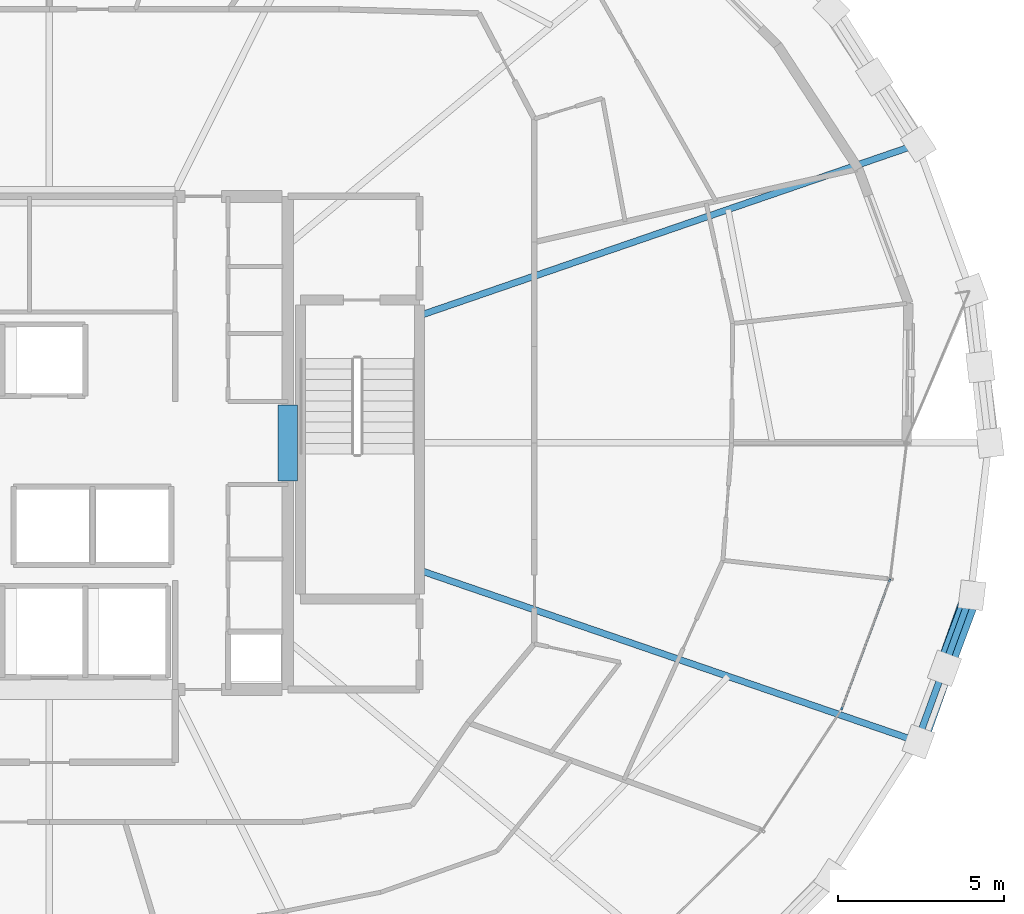
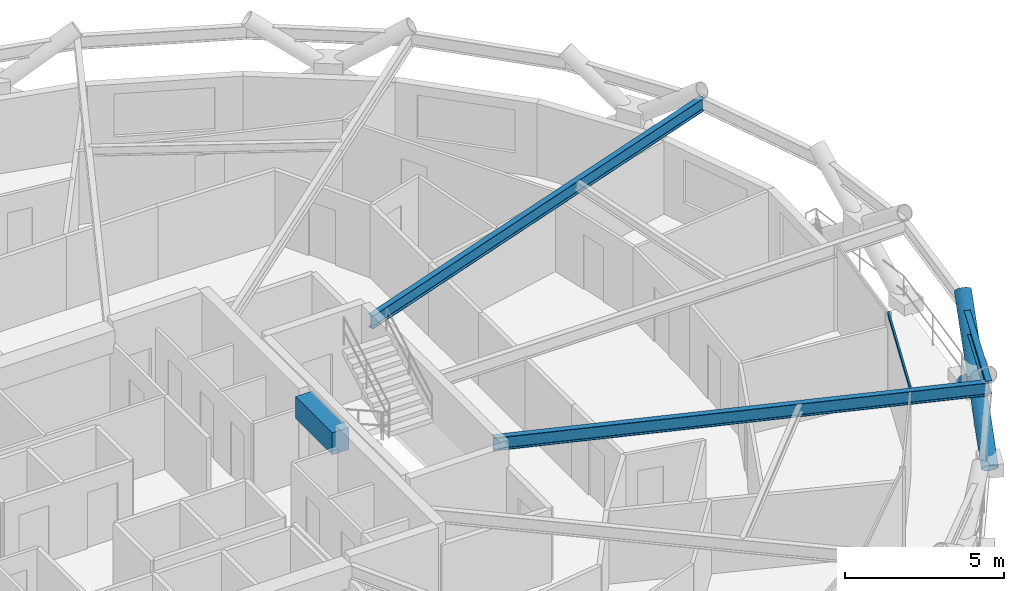
# One storey, part 8 of 21: 4 beams, 3 members, 1 element without a shape of its own.
"""IFC4 building model written with IfcOpenShell, lengths in metres."""

from ifc_helpers import new_model, si_unit, direction, frame, origin, origin_2d, place, context, subcontext, project, spatial, rectangle, hollow_rectangle, hollow_circle, i_section, extrude, material, layer, layer_set, material_profile, profile_set, type_object, element, aggregate, save


model = new_model("IFC4")

# Units and contexts
model_context = context("Model", 3, precision=1e-05, world=origin(), true_north=direction((0.0, 1.0)))
body_context = subcontext(model_context, "Body", "Model", "MODEL_VIEW")
ifc_project = project(units=[si_unit("LENGTHUNIT", "METRE"), si_unit("AREAUNIT", "SQUARE_METRE"), si_unit("VOLUMEUNIT", "CUBIC_METRE"), si_unit("PLANEANGLEUNIT", "RADIAN"), si_unit("MASSUNIT", "GRAM", prefix="KILO")], contexts=[model_context])

# Site, building, storey
site_placement = place(None, origin())
site = spatial("IfcSite", under=ifc_project, at=site_placement, CompositionType="ELEMENT")
building_placement = place(site_placement, origin())
building = spatial("IfcBuilding", under=site, at=building_placement, Name="Veldorina Hangang Commons", CompositionType="ELEMENT")
storey_placement = place(building_placement, frame((0.0, 0.0, 142.39990234375)))
storey = spatial("IfcBuildingStorey", under=building, at=storey_placement, Name="L36", CompositionType="ELEMENT", Elevation=142.39990234375)

# Beams
ifc_material_1 = material(Name="Concrete C60/75", Category="concrete")
ifc_material_profile_1 = material_profile(ifc_material_1, rectangle(XDim=0.60009765625, YDim=0.85009765625, at=origin_2d()), Name="RC-CB-600x850")
ifc_profile_set_1 = profile_set([ifc_material_profile_1], Name="Concrete C60/75")
beam_type_1 = type_object("IfcBeamType", Name="BM-CB850", PredefinedType="LINTEL", material=ifc_profile_set_1)
beam_1_placement = place(storey_placement, frame((39.199951171875, 22.85009765625, 2.925048828125), z_axis=(0.0, 1.0, 0.0), x_axis=(-1.0, 0.0, 0.0)))
element("IfcBeam", 1, at=beam_1_placement, inside=storey, type_object=beam_type_1, Name="L36 E core coupling lintel beam", PredefinedType="LINTEL", context=body_context, shape_type="SweptSolid", body=[
    extrude(rectangle(XDim=0.60009765625, YDim=0.85009765625, at=origin_2d()), origin(), (0.0, 0.0, 1.0), 2.2998046875),
])
ifc_material_2 = material(Name="Steel SM420-TMC", Category="steel")
ifc_material_profile_2 = material_profile(ifc_material_2, i_section(OverallWidth=0.199951171875, OverallDepth=0.5, WebThickness=0.010009765625, FlangeThickness=0.01611328125, FilletRadius=0.01611328125, at=origin_2d()), Name="H-500x200x10x16")
ifc_profile_set_2 = profile_set([ifc_material_profile_2], Name="Steel SM420-TMC")
beam_type_2 = type_object("IfcBeamType", Name="BM-FG500", PredefinedType="BEAM", material=ifc_profile_set_2)
for number, where, z_axis, x_axis, name in (
    (2, (43.179931640625, 27.845458984375, 3.10009765625), (0.945627878176, 0.325250543453, 0.0), (-0.325250543453, 0.945627878176, 0.0), "L36 radial floor girder 02"),
    (3, (43.179931640625, 20.154541015625, 3.10009765625), (0.945627878176, -0.325250543453, 0.0), (0.325250543453, 0.945627878176, 0.0), "L36 radial floor girder 16"),
):
    element("IfcBeam", number, at=place(storey_placement, frame(where, z_axis=z_axis, x_axis=x_axis)), inside=storey, type_object=beam_type_2, Name=name, PredefinedType="BEAM", context=body_context, shape_type="SweptSolid", body=[
        extrude(i_section(OverallWidth=0.199951171875, OverallDepth=0.5, WebThickness=0.010009765625, FlangeThickness=0.01611328125, FilletRadius=0.01611328125, at=origin_2d()), origin(), (0.0, 0.0, 1.0), 15.901123046875),
    ])
ifc_material_profile_3 = material_profile(ifc_material_2, i_section(OverallWidth=0.199951171875, OverallDepth=0.5, WebThickness=0.010009765625, FlangeThickness=0.01611328125, FilletRadius=0.01611328125, at=origin_2d()), Name="H-500x200x10x16")
ifc_profile_set_3 = profile_set([ifc_material_profile_3], Name="Steel SM420-TMC")
beam_type_3 = type_object("IfcBeamType", Name="BM-RB500", PredefinedType="BEAM", material=ifc_profile_set_3)
beam_2_placement = place(storey_placement, frame((58.216552734375, 14.982666015625, 3.10009765625), z_axis=(0.34311725986, 0.939292577415, 0.0), x_axis=(-0.939292577415, 0.34311725986, 0.0)))
element("IfcBeam", 4, at=beam_2_placement, inside=storey, type_object=beam_type_3, Name="L36 perimeter hoop ring beam 30", PredefinedType="BEAM", context=body_context, shape_type="SweptSolid", body=[
    extrude(i_section(OverallWidth=0.199951171875, OverallDepth=0.5, WebThickness=0.010009765625, FlangeThickness=0.01611328125, FilletRadius=0.01611328125, at=origin_2d()), origin(), (0.0, 0.0, 1.0), 4.7060546875),
])

# Curtain wall, member
ifc_material_3 = material(Name="Glass Low-E Triple IGU", Category="glass")
ifc_layer = layer(ifc_material_3, 0.179931640625)
ifc_layer_set = layer_set([ifc_layer], Name="Glass Low-E Triple IGU")
curtain_wall_type = type_object("IfcCurtainWallType", Name="CW-SYS-Z2", PredefinedType="NOTDEFINED", material=ifc_layer_set)
curtain_wall_placement = place(storey_placement, origin())
curtain_wall = element("IfcCurtainWall", 5, at=curtain_wall_placement, inside=storey, type_object=curtain_wall_type, Name="L36 unitised curtain wall CW-L36-R2", PredefinedType="NOTDEFINED")
ifc_material_4 = material(Name="Aluminium Anodized AA6063-T6", Category="aluminium")
ifc_material_profile_4 = material_profile(ifc_material_4, hollow_rectangle(XDim=0.06005859375, YDim=0.139892578125, WallThickness=0.00341796875, at=origin_2d()), Name="ALU-RHS-140x60x3.5")
ifc_profile_set_4 = profile_set([ifc_material_profile_4], Name="Aluminium Anodized AA6063-T6")
member_type_1 = type_object("IfcMemberType", Name="CW-TRN-140", PredefinedType="USERDEFINED", material=ifc_profile_set_4)
member_1_placement = place(storey_placement, frame((55.923583984375, 15.936767578125, 3.27001953125), z_axis=(0.349283408041, 0.937017129442, 0.0), x_axis=(-0.937017129442, 0.349283408041, 0.0)))
member_1 = element("IfcMember", 6, at=member_1_placement, type_object=member_type_1, Name="CW-L36-R2 facet 4 transom 1", ObjectType="TRANSOM", PredefinedType="USERDEFINED", context=body_context, shape_type="SweptSolid", body=[
    extrude(hollow_rectangle(XDim=0.06005859375, YDim=0.139892578125, WallThickness=0.00341796875, at=origin_2d()), origin(), (0.0, 0.0, 1.0), 4.21826171875),
])
aggregate(curtain_wall, [member_1])

# Members
ifc_material_profile_5 = material_profile(ifc_material_2, hollow_circle(Radius=0.27490234375, WallThickness=0.028076171875, at=origin_2d()), Name="CHS-550x28")
ifc_profile_set_5 = profile_set([ifc_material_profile_5], Name="Steel SM420-TMC")
member_type_2 = type_object("IfcMemberType", Name="DG-CHS550", PredefinedType="BRACE", material=ifc_profile_set_5)
member_2_placement = place(storey_placement, frame((58.251708984375, 14.972412109375, 0.0), z_axis=(0.265725942148, 0.748245668001, 0.607880040788), x_axis=(-0.942340625843, 0.33465526275, 0.0)))
element("IfcMember", 7, at=member_2_placement, inside=storey, type_object=member_type_2, Name="L36 continuous perimeter diagrid brace 30", PredefinedType="BRACE", context=body_context, shape_type="SweptSolid", body=[
    extrude(hollow_circle(Radius=0.27490234375, WallThickness=0.028076171875, at=origin_2d()), origin(), (0.0, 0.0, 1.0), 5.92236328125),
])
member_3_placement = place(storey_placement, frame((59.86865234375, 19.397705078125, 0.0), z_axis=(-0.279526226261, -0.743977395615, 0.606928928002), x_axis=(0.936107800988, -0.351713214038, 0.0)))
element("IfcMember", 8, at=member_3_placement, inside=storey, type_object=member_type_2, Name="L36 split perimeter diagrid lower brace 31", PredefinedType="BRACE", context=body_context, shape_type="SweptSolid", body=[
    extrude(hollow_circle(Radius=0.27490234375, WallThickness=0.028076171875, at=origin_2d()), origin(), (0.0, 0.0, 1.0), 2.9677734375),
])

save(model, "model.ifc")
